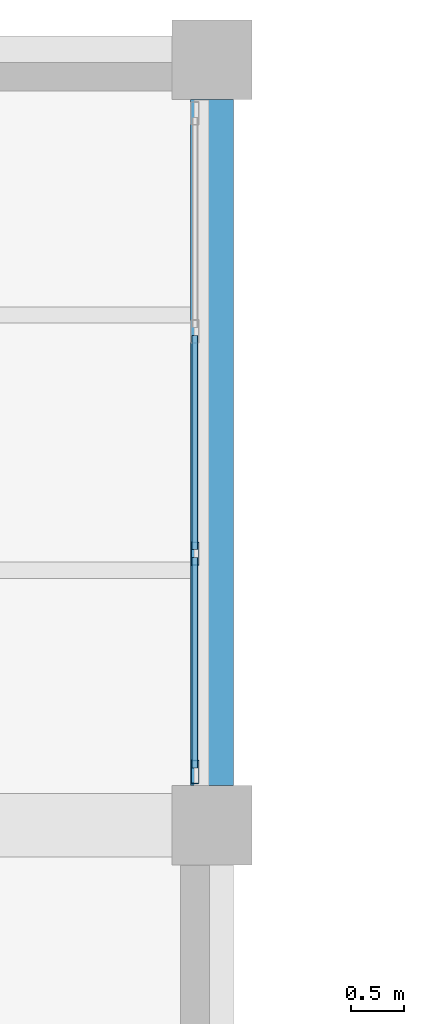
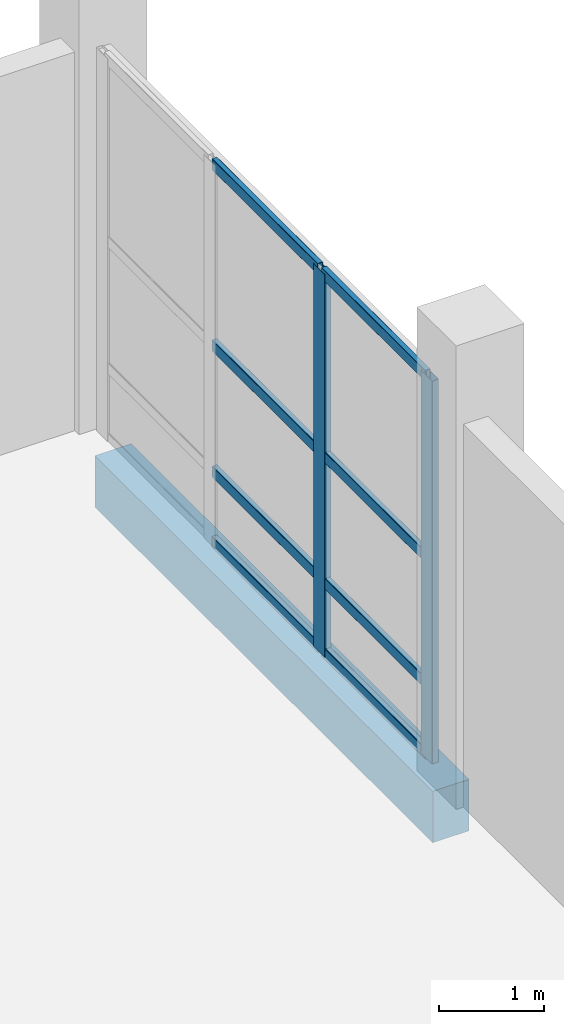
# One storey, part 81 of 137: 10 members, 1 beam, 1 element without a shape of its own.
"""IFC4 building model written with IfcOpenShell, lengths in metres."""

from ifc_helpers import new_model, si_unit, direction, frame, origin, origin_2d, place, context, subcontext, project, spatial, rectangle, hollow_rectangle, extrude, material, material_profile, profile_set, type_object, element, aggregate, save


model = new_model("IFC4")

# Units and contexts
model_context = context("Model", 3, precision=1e-05, world=origin(), true_north=direction((0.0, 1.0)))
body_context = subcontext(model_context, "Body", "Model", "MODEL_VIEW")
ifc_project = project(units=[si_unit("LENGTHUNIT", "METRE"), si_unit("AREAUNIT", "SQUARE_METRE"), si_unit("VOLUMEUNIT", "CUBIC_METRE"), si_unit("PLANEANGLEUNIT", "RADIAN"), si_unit("MASSUNIT", "GRAM", prefix="KILO")], contexts=[model_context])

# Site, building, storey
site_placement = place(None, origin())
site = spatial("IfcSite", under=ifc_project, at=site_placement, CompositionType="ELEMENT")
building_placement = place(site_placement, origin())
building = spatial("IfcBuilding", under=site, at=building_placement, Name="Kalmorath City Hall", CompositionType="ELEMENT")
storey_placement = place(building_placement, origin())
storey = spatial("IfcBuildingStorey", under=building, at=storey_placement, Name="L00", CompositionType="ELEMENT", Elevation=0.0)

# Beam
ifc_material_1 = material(Name="Concrete C40/50", Category="concrete")
ifc_material_profile_1 = material_profile(ifc_material_1, rectangle(XDim=0.39990234375, YDim=0.60009765625, at=origin_2d()), Name="RC-BM-400X600")
ifc_profile_set_1 = profile_set([ifc_material_profile_1], Name="Concrete C40/50")
beam_type = type_object("IfcBeamType", Name="Concrete edge beam 400x600", PredefinedType="SPANDREL", material=ifc_profile_set_1)
beam_placement = place(storey_placement, frame((129.60009765625, 108.375, -0.60400390625), z_axis=(0.0, 1.0, 0.0), x_axis=(-1.0, 0.0, 0.0)))
element("IfcBeam", 1, at=beam_placement, inside=storey, type_object=beam_type, Name="L00 girder CB6 Y19/16-17", PredefinedType="SPANDREL", context=body_context, shape_type="SweptSolid", body=[
    extrude(rectangle(XDim=0.39990234375, YDim=0.60009765625, at=origin_2d()), origin(), (0.0, 0.0, 1.0), 6.449951171875),
])

# Curtain wall, members
ifc_material_2 = material(Name="Anodised aluminium and laminated glass", Category="aluminium")
curtain_wall_type = type_object("IfcCurtainWallType", Name="Unitised hurricane curtain wall 6270x4461 M1850", PredefinedType="NOTDEFINED", material=ifc_material_2)
curtain_wall_placement = place(storey_placement, origin())
curtain_wall = element("IfcCurtainWall", 2, at=curtain_wall_placement, inside=storey, type_object=curtain_wall_type, Name="L00 curtain wall CW-63X45M18 #1", PredefinedType="NOTDEFINED")
ifc_material_3 = material(Name="Anodised aluminium framing", Category="aluminium")
ifc_material_profile_2 = material_profile(ifc_material_3, hollow_rectangle(XDim=0.06005859375, YDim=0.1298828125, WallThickness=0.00341796875, InnerFilletRadius=0.00341796875, OuterFilletRadius=0.007080078125, at=origin_2d()), Name="ALU-TRN-130X60X3.5")
ifc_profile_set_2 = profile_set([ifc_material_profile_2], Name="Anodised aluminium framing")
member_type_1 = type_object("IfcMemberType", Name="Curtain-wall courtyard transom 130x60", PredefinedType="USERDEFINED", material=ifc_profile_set_2)
member_1_placement = place(storey_placement, frame((129.43994140625, 112.607421875, 0.030029296875), z_axis=(0.0, -1.0, 0.0), x_axis=(1.0, 0.0, 0.0)))
member_1 = element("IfcMember", 3, at=member_1_placement, type_object=member_type_1, Name="CW-63X45M18 transom 2.1", ObjectType="TRANSOM", PredefinedType="USERDEFINED", context=body_context, shape_type="SweptSolid", body=[
    extrude(hollow_rectangle(XDim=0.06005859375, YDim=0.1298828125, WallThickness=0.00341796875, InnerFilletRadius=0.00341796875, OuterFilletRadius=0.007080078125, at=origin_2d()), origin(), (0.0, 0.0, 1.0), 2.014892578125),
])
member_2_placement = place(storey_placement, frame((129.43994140625, 112.607421875, 0.85009765625), z_axis=(0.0, -1.0, 0.0), x_axis=(1.0, 0.0, 0.0)))
member_2 = element("IfcMember", 4, at=member_2_placement, type_object=member_type_1, Name="CW-63X45M18 transom 2.2", ObjectType="TRANSOM", PredefinedType="USERDEFINED", context=body_context, shape_type="SweptSolid", body=[
    extrude(hollow_rectangle(XDim=0.06005859375, YDim=0.1298828125, WallThickness=0.00341796875, InnerFilletRadius=0.00341796875, OuterFilletRadius=0.007080078125, at=origin_2d()), origin(), (0.0, 0.0, 1.0), 2.014892578125),
])
member_3_placement = place(storey_placement, frame((129.43994140625, 112.607421875, 2.320068359375), z_axis=(0.0, -1.0, 0.0), x_axis=(1.0, 0.0, 0.0)))
member_3 = element("IfcMember", 5, at=member_3_placement, type_object=member_type_1, Name="CW-63X45M18 transom 2.3", ObjectType="TRANSOM", PredefinedType="USERDEFINED", context=body_context, shape_type="SweptSolid", body=[
    extrude(hollow_rectangle(XDim=0.06005859375, YDim=0.1298828125, WallThickness=0.00341796875, InnerFilletRadius=0.00341796875, OuterFilletRadius=0.007080078125, at=origin_2d()), origin(), (0.0, 0.0, 1.0), 2.014892578125),
])
member_4_placement = place(storey_placement, frame((129.43994140625, 112.607421875, 4.430908203125), z_axis=(0.0, -1.0, 0.0), x_axis=(1.0, 0.0, 0.0)))
member_4 = element("IfcMember", 6, at=member_4_placement, type_object=member_type_1, Name="CW-63X45M18 transom 2.4", ObjectType="TRANSOM", PredefinedType="USERDEFINED", context=body_context, shape_type="SweptSolid", body=[
    extrude(hollow_rectangle(XDim=0.06005859375, YDim=0.1298828125, WallThickness=0.00341796875, InnerFilletRadius=0.00341796875, OuterFilletRadius=0.007080078125, at=origin_2d()), origin(), (0.0, 0.0, 1.0), 2.014892578125),
])
member_5_placement = place(storey_placement, frame((129.43994140625, 110.517578125, 0.030029296875), z_axis=(0.0, -1.0, 0.0), x_axis=(1.0, 0.0, 0.0)))
member_5 = element("IfcMember", 7, at=member_5_placement, type_object=member_type_1, Name="CW-63X45M18 transom 3.1", ObjectType="TRANSOM", PredefinedType="USERDEFINED", context=body_context, shape_type="SweptSolid", body=[
    extrude(hollow_rectangle(XDim=0.06005859375, YDim=0.1298828125, WallThickness=0.00341796875, InnerFilletRadius=0.00341796875, OuterFilletRadius=0.007080078125, at=origin_2d()), origin(), (0.0, 0.0, 1.0), 1.9775390625),
])
member_6_placement = place(storey_placement, frame((129.43994140625, 110.517578125, 0.85009765625), z_axis=(0.0, -1.0, 0.0), x_axis=(1.0, 0.0, 0.0)))
member_6 = element("IfcMember", 8, at=member_6_placement, type_object=member_type_1, Name="CW-63X45M18 transom 3.2", ObjectType="TRANSOM", PredefinedType="USERDEFINED", context=body_context, shape_type="SweptSolid", body=[
    extrude(hollow_rectangle(XDim=0.06005859375, YDim=0.1298828125, WallThickness=0.00341796875, InnerFilletRadius=0.00341796875, OuterFilletRadius=0.007080078125, at=origin_2d()), origin(), (0.0, 0.0, 1.0), 1.9775390625),
])
member_7_placement = place(storey_placement, frame((129.43994140625, 110.517578125, 2.320068359375), z_axis=(0.0, -1.0, 0.0), x_axis=(1.0, 0.0, 0.0)))
member_7 = element("IfcMember", 9, at=member_7_placement, type_object=member_type_1, Name="CW-63X45M18 transom 3.3", ObjectType="TRANSOM", PredefinedType="USERDEFINED", context=body_context, shape_type="SweptSolid", body=[
    extrude(hollow_rectangle(XDim=0.06005859375, YDim=0.1298828125, WallThickness=0.00341796875, InnerFilletRadius=0.00341796875, OuterFilletRadius=0.007080078125, at=origin_2d()), origin(), (0.0, 0.0, 1.0), 1.9775390625),
])
member_8_placement = place(storey_placement, frame((129.43994140625, 110.517578125, 4.430908203125), z_axis=(0.0, -1.0, 0.0), x_axis=(1.0, 0.0, 0.0)))
member_8 = element("IfcMember", 10, at=member_8_placement, type_object=member_type_1, Name="CW-63X45M18 transom 3.4", ObjectType="TRANSOM", PredefinedType="USERDEFINED", context=body_context, shape_type="SweptSolid", body=[
    extrude(hollow_rectangle(XDim=0.06005859375, YDim=0.1298828125, WallThickness=0.00341796875, InnerFilletRadius=0.00341796875, OuterFilletRadius=0.007080078125, at=origin_2d()), origin(), (0.0, 0.0, 1.0), 1.9775390625),
])
ifc_material_4 = material(Name="Anodised aluminium framing", Category="aluminium")
ifc_material_profile_3 = material_profile(ifc_material_4, hollow_rectangle(XDim=0.074951171875, YDim=0.219970703125, WallThickness=0.00390625, InnerFilletRadius=0.00390625, OuterFilletRadius=0.008056640625, at=origin_2d()), Name="ALU-MUL-220X75X4")
ifc_profile_set_3 = profile_set([ifc_material_profile_3], Name="Anodised aluminium framing")
member_type_2 = type_object("IfcMemberType", Name="Curtain-wall primary mullion 220x75", PredefinedType="MULLION", material=ifc_profile_set_3)
member_9_placement = place(storey_placement, frame((129.43994140625, 110.554931640625, 0.0), z_axis=(0.0, 0.0, 1.0), x_axis=(1.0, 0.0, 0.0)))
member_9 = element("IfcMember", 11, at=member_9_placement, type_object=member_type_2, Name="CW-63X45M18 mullion 3", PredefinedType="MULLION", context=body_context, shape_type="SweptSolid", body=[
    extrude(hollow_rectangle(XDim=0.074951171875, YDim=0.219970703125, WallThickness=0.00390625, InnerFilletRadius=0.00390625, OuterFilletRadius=0.008056640625, at=origin_2d()), origin(), (0.0, 0.0, 1.0), 4.4609375),
])
member_10_placement = place(storey_placement, frame((129.43994140625, 108.50244140625, 0.0), z_axis=(0.0, 0.0, 1.0), x_axis=(1.0, 0.0, 0.0)))
member_10 = element("IfcMember", 12, at=member_10_placement, type_object=member_type_2, Name="CW-63X45M18 mullion 4", PredefinedType="MULLION", context=body_context, shape_type="SweptSolid", body=[
    extrude(hollow_rectangle(XDim=0.074951171875, YDim=0.219970703125, WallThickness=0.00390625, InnerFilletRadius=0.00390625, OuterFilletRadius=0.008056640625, at=origin_2d()), origin(), (0.0, 0.0, 1.0), 4.4609375),
])
aggregate(curtain_wall, [member_9, member_10, member_1, member_2, member_3, member_4, member_5, member_6, member_7, member_8])

save(model, "model.ifc")
